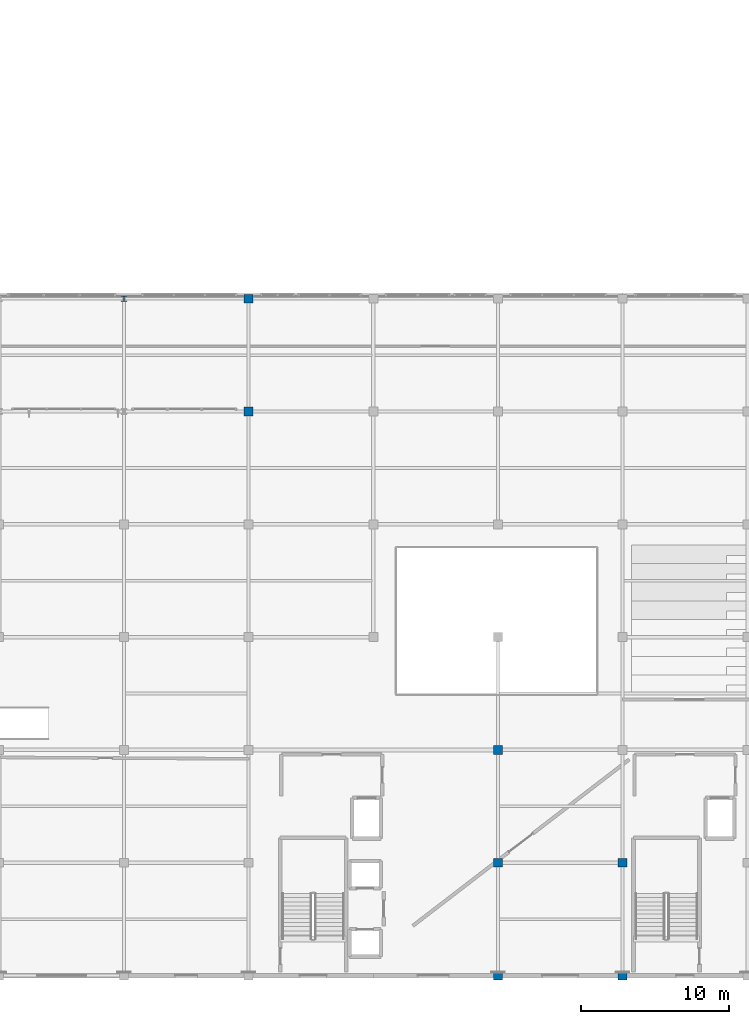
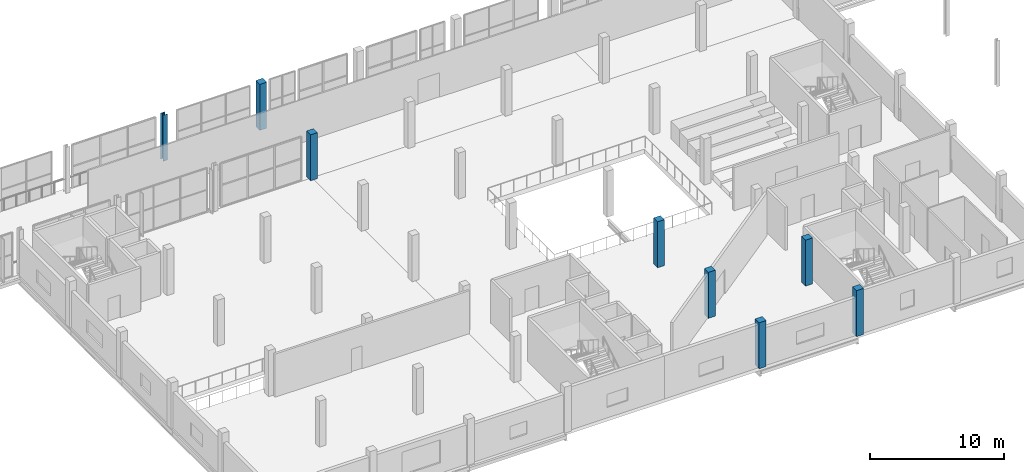
# One storey, part 3 of 217: 8 columns.
"""IFC4 building model written with IfcOpenShell, lengths in metres."""

from ifc_helpers import new_model, si_unit, direction, frame, origin, origin_2d, place, context, subcontext, project, spatial, rectangle, i_section, extrude, material, material_profile, profile_set, type_object, element, save


model = new_model("IFC4")

# Units and contexts
model_context = context("Model", 3, precision=1e-05, world=origin(), true_north=direction((0.0, 1.0)))
body_context = subcontext(model_context, "Body", "Model", "MODEL_VIEW")
ifc_project = project(units=[si_unit("LENGTHUNIT", "METRE"), si_unit("AREAUNIT", "SQUARE_METRE"), si_unit("VOLUMEUNIT", "CUBIC_METRE"), si_unit("PLANEANGLEUNIT", "RADIAN"), si_unit("MASSUNIT", "GRAM", prefix="KILO")], contexts=[model_context])

# Site, building, storey
site_placement = place(None, origin())
site = spatial("IfcSite", under=ifc_project, at=site_placement, CompositionType="ELEMENT")
building_placement = place(site_placement, origin())
building = spatial("IfcBuilding", under=site, at=building_placement, Name="Zuvorla Pavilion Media Centre", CompositionType="ELEMENT")
storey_placement = place(building_placement, frame((0.0, 0.0, 9.60009765625)))
storey = spatial("IfcBuildingStorey", under=building, at=storey_placement, Name="L02", CompositionType="ELEMENT", Elevation=9.60009765625)

# Columns
ifc_material_1 = material(Name="Concrete C40/50", Category="concrete")
ifc_material_profile_1 = material_profile(ifc_material_1, rectangle(XDim=0.60009765625, YDim=0.60009765625, at=origin_2d()), Name="RC 600x600")
ifc_profile_set_1 = profile_set([ifc_material_profile_1], Name="Concrete C40/50")
column_type_1 = type_object("IfcColumnType", Name="COL-RC600", PredefinedType="COLUMN", material=ifc_profile_set_1)
for number, where, z_axis, x_axis, name in (
    (1, (83.60009765625, 6.0, 0.0), (0.0, 0.0, 1.0), (1.0, 0.0, 0.0), "L02 column C03 36"),
    (2, (92.0, 6.0, 0.0), (0.0, 0.0, 1.0), (1.0, 0.0, 0.0), "L02 column C03 44"),
    (3, (83.60009765625, 13.60009765625, 0.0), (0.0, 0.0, 1.0), (1.0, 0.0, 0.0), "L02 column C03 134"),
    (4, (92.0, 13.60009765625, 0.0), (0.0, 0.0, 1.0), (1.0, 0.0, 0.0), "L02 column C03 142"),
    (5, (83.60009765625, 21.199951171875, 0.0), (0.0, 0.0, 1.0), (1.0, 0.0, 0.0), "L02 column C03 235"),
    (6, (66.800048828125, 44.0, 0.0), (0.0, 0.0, 1.0), (1.0, 0.0, 0.0), "L02 column C03 510"),
    (7, (66.800048828125, 51.60009765625, 0.0), (0.0, 0.0, 1.0), (1.0, 0.0, 0.0), "L02 column C03 606"),
):
    element("IfcColumn", number, at=place(storey_placement, frame(where, z_axis=z_axis, x_axis=x_axis)), inside=storey, type_object=column_type_1, Name=name, PredefinedType="COLUMN", context=body_context, shape_type="SweptSolid", body=[
        extrude(rectangle(XDim=0.60009765625, YDim=0.60009765625, at=origin_2d()), origin(), (0.0, 0.0, 1.0), 4.199951171875),
    ])
ifc_material_2 = material(Name="Steel S355", Category="steel")
ifc_material_profile_2 = material_profile(ifc_material_2, i_section(OverallWidth=0.37255859375, OverallDepth=0.3681640625, WebThickness=0.014404296875, FlangeThickness=0.023681640625, FilletRadius=0.01513671875, at=origin_2d()), Name="UC 356x368x177")
ifc_profile_set_2 = profile_set([ifc_material_profile_2], Name="Steel S355")
column_type_2 = type_object("IfcColumnType", Name="COL-UC356", PredefinedType="COLUMN", material=ifc_profile_set_2)
column_placement = place(storey_placement, frame((58.39990234375, 51.60009765625, 0.0), z_axis=(0.0, 0.0, 1.0), x_axis=(1.0, 0.0, 0.0)))
element("IfcColumn", 8, at=column_placement, inside=storey, type_object=column_type_2, Name="L02 column C09 601", PredefinedType="COLUMN", context=body_context, shape_type="SweptSolid", body=[
    extrude(i_section(OverallWidth=0.37255859375, OverallDepth=0.3681640625, WebThickness=0.014404296875, FlangeThickness=0.023681640625, FilletRadius=0.01513671875, at=origin_2d()), origin(), (0.0, 0.0, 1.0), 4.199951171875),
])

save(model, "model.ifc")
